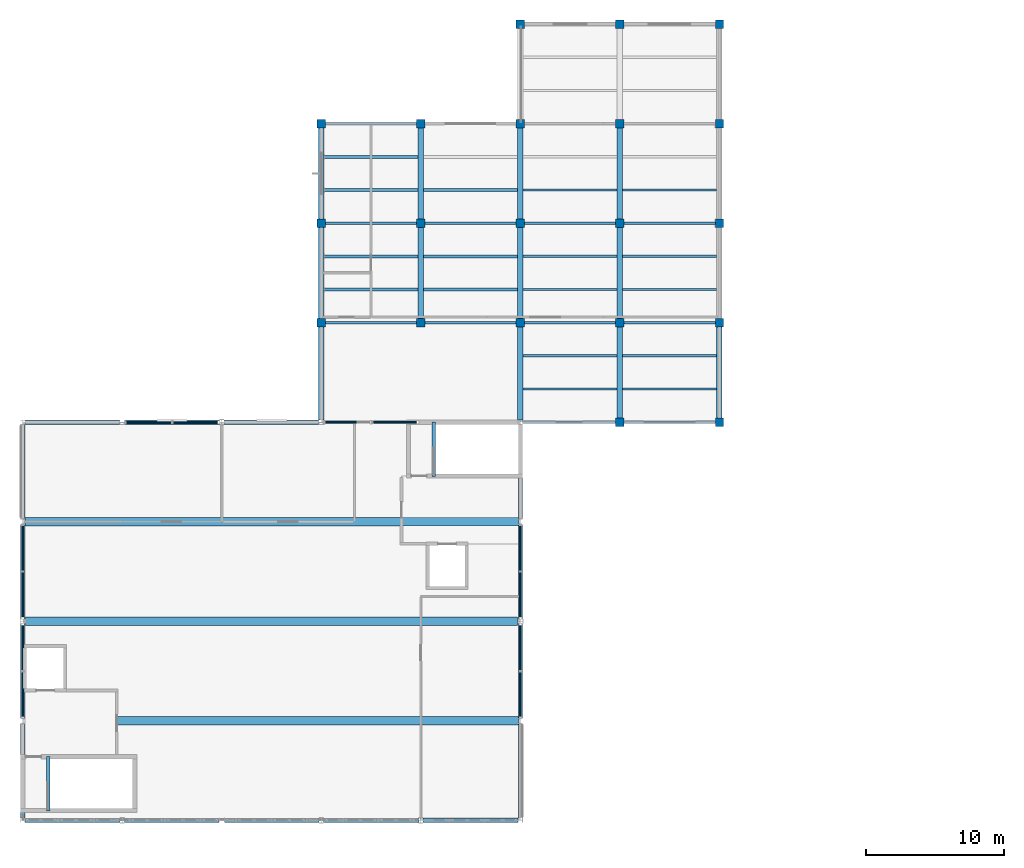
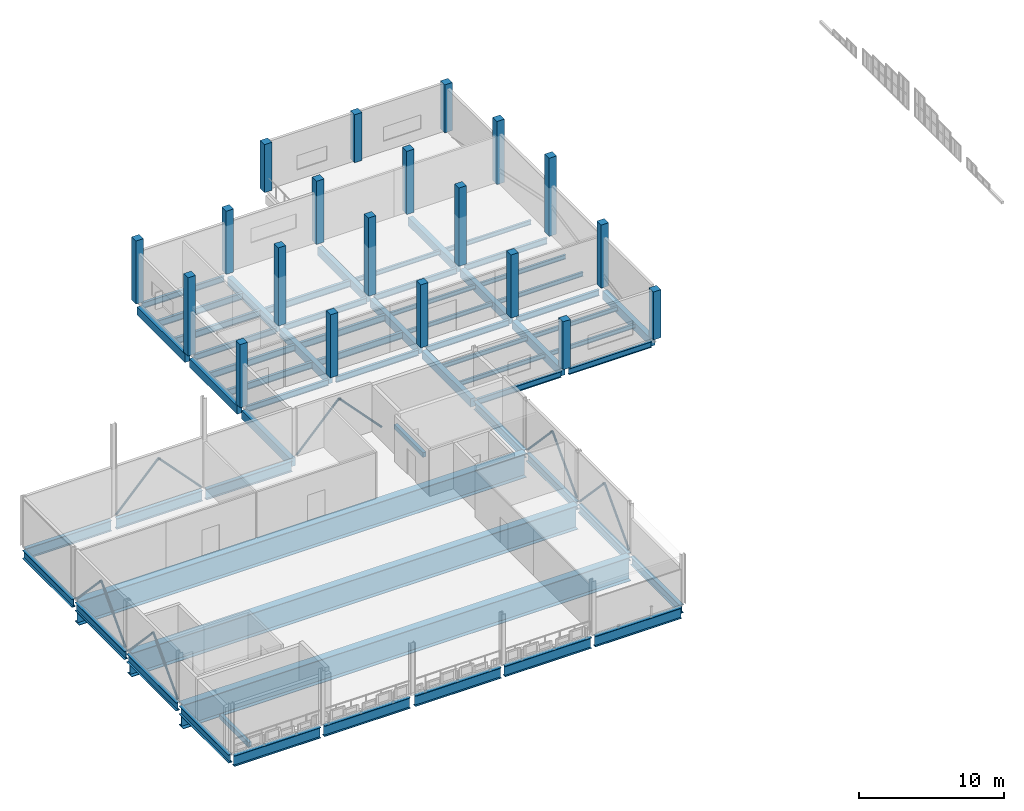
# One storey, part 2 of 20: 61 beams, 20 columns, 12 members.
"""IFC4 building model written with IfcOpenShell, lengths in metres."""

import ifcopenshell
import ifcopenshell.guid

model = None  # the IFC model being written
_history = None  # IfcOwnerHistory: only IFC2X3 demands one
_inside = {}  # id of a spatial element -> (the spatial element, [elements in it])
_under = {}  # id of a project, library or spatial element -> (it, [spatial elements below it])
_declared = {}  # id of a project -> (the project, [libraries it declares])
_typed = {}  # id of a type object -> (the type object, [elements of that type])
_made_of = {}  # id of a material, layer set ... -> (it, [elements and type objects made of it])


def new_model(schema):
    """Start an empty IFC model of exactly this schema.

    Asked for "IFC4X3", IfcOpenShell would pick the latest addendum, in which some entities
    have other attributes; the version numbers below select the first issue.
    IFC2X3 requires an IfcOwnerHistory on every rooted entity: one is made here for all.
    """
    global model, _history
    if schema == "IFC4X3":
        model = ifcopenshell.file(schema_version=(4, 3, 0, 0))
    else:
        model = ifcopenshell.file(schema=schema)
    _inside.clear()
    _under.clear()
    _declared.clear()
    _typed.clear()
    _made_of.clear()
    _history = None
    if model.schema == "IFC2X3":
        org = make("IfcOrganization", Name="unknown")
        user = make(
            "IfcPersonAndOrganization",
            ThePerson=make("IfcPerson", FamilyName="unknown"),
            TheOrganization=org,
        )
        app = make(
            "IfcApplication",
            ApplicationDeveloper=org,
            Version="unknown",
            ApplicationFullName="unknown",
            ApplicationIdentifier="unknown",
        )
        _history = make(
            "IfcOwnerHistory",
            OwningUser=user,
            OwningApplication=app,
            ChangeAction="ADDED",
            CreationDate=0,
        )
    return model


def make(cls, **values):
    """One entity of the class cls with the attributes given. An attribute that is None is left unset."""
    return model.create_entity(
        cls, **{name: value for name, value in values.items() if value is not None}
    )


def rooted(cls, **values):
    """An entity with a GlobalId (a new one), such as an element, a storey or a relation."""
    return make(cls, GlobalId=ifcopenshell.guid.new(), OwnerHistory=_history, **values)


def si_unit(unit_type, name, prefix=None):
    """IfcSIUnit, for example si_unit("LENGTHUNIT", "METRE", prefix="MILLI")."""
    return make("IfcSIUnit", UnitType=unit_type, Prefix=prefix, Name=name)


def assignment(units):
    """IfcUnitAssignment: the units of a project."""
    return None if units is None else make("IfcUnitAssignment", Units=units)


def point(xyz):
    """IfcCartesianPoint."""
    return None if xyz is None else make("IfcCartesianPoint", Coordinates=xyz)


def direction(xyz):
    """IfcDirection."""
    return None if xyz is None else make("IfcDirection", DirectionRatios=xyz)


def frame(location, z_axis=None, x_axis=None):
    """IfcAxis2Placement3D, a coordinate frame: its origin and axes. An axis left out is left unset."""
    return make(
        "IfcAxis2Placement3D",
        Location=point(location),
        Axis=direction(z_axis),
        RefDirection=direction(x_axis),
    )


def frame_2d(location, x_axis=None):
    """IfcAxis2Placement2D, a coordinate frame in the plane: its origin and x axis."""
    return make(
        "IfcAxis2Placement2D", Location=point(location), RefDirection=direction(x_axis)
    )


def origin():
    """The frame at (0, 0, 0) with its axes left unset."""
    return frame((0.0, 0.0, 0.0))


def origin_2d():
    """The frame at (0, 0) in the plane with its x axis left unset."""
    return frame_2d((0.0, 0.0))


def place(relative_to, where):
    """IfcLocalPlacement: puts the frame where relative to a parent placement (None: the world)."""
    return make(
        "IfcLocalPlacement", PlacementRelTo=relative_to, RelativePlacement=where
    )


def context(
    kind, dimensions, precision=None, world=None, true_north=None, identifier=None
):
    """IfcGeometricRepresentationContext, for example the 3D "Model" context."""
    return make(
        "IfcGeometricRepresentationContext",
        ContextIdentifier=identifier,
        ContextType=kind,
        CoordinateSpaceDimension=dimensions,
        Precision=precision,
        WorldCoordinateSystem=world,
        TrueNorth=true_north,
    )


def subcontext(parent, identifier, kind, view, scale=None):
    """IfcGeometricRepresentationSubContext, for example "Body" below "Model"."""
    return make(
        "IfcGeometricRepresentationSubContext",
        ContextIdentifier=identifier,
        ContextType=kind,
        ParentContext=parent,
        TargetScale=scale,
        TargetView=view,
    )


def project(units=None, contexts=None):
    """IfcProject with its units and contexts."""
    return rooted(
        "IfcProject",
        Name="project",
        RepresentationContexts=contexts,
        UnitsInContext=assignment(units),
    )


def spatial(cls, under=None, at=None, **own):
    """A site, building, storey or space (cls), placed at a placement, below another one or the project."""
    s = rooted(cls, ObjectPlacement=at, **own)
    if under is not None:
        _under.setdefault(under.id(), (under, []))[1].append(s)
    return s


def profile(cls, at=None, kind="AREA", **sizes):
    """A parametric profile (cls). Its sizes go by their IFC names, for example OverallWidth=200.0."""
    return make(cls, ProfileType=kind, Position=at, **sizes)


def rectangle(**sizes):
    """IfcRectangleProfileDef."""
    return profile("IfcRectangleProfileDef", **sizes)


def hollow_circle(**sizes):
    """IfcCircleHollowProfileDef."""
    return profile("IfcCircleHollowProfileDef", **sizes)


def i_section(**sizes):
    """IfcIShapeProfileDef."""
    return profile("IfcIShapeProfileDef", **sizes)


def extrude(swept, where, along, depth):
    """IfcExtrudedAreaSolid: the profile swept, set in the frame where, extruded along a direction by depth."""
    return make(
        "IfcExtrudedAreaSolid",
        SweptArea=swept,
        Position=where,
        ExtrudedDirection=direction(along),
        Depth=depth,
    )


def shape(context_of_items, identifier, shape_type, items):
    """IfcShapeRepresentation: the items that make up one representation, for example the "Body"."""
    return make(
        "IfcShapeRepresentation",
        ContextOfItems=context_of_items,
        RepresentationIdentifier=identifier,
        RepresentationType=shape_type,
        Items=items,
    )


def material(Name=None, Category=None):
    """IfcMaterial."""
    return make("IfcMaterial", Name=Name, Category=Category)


def material_profile(
    of_material, cross_section, Name=None, Category=None, Priority=None
):
    """IfcMaterialProfile: a cross section and its material."""
    return make(
        "IfcMaterialProfile",
        Name=Name,
        Material=of_material,
        Profile=cross_section,
        Priority=Priority,
        Category=Category,
    )


def profile_set(profiles, Name=None, composite=None):
    """IfcMaterialProfileSet."""
    return make(
        "IfcMaterialProfileSet",
        Name=Name,
        MaterialProfiles=profiles,
        CompositeProfile=composite,
    )


def made_of(thing, what):
    """Note that an element or type object is made of a material, layer set ...; save() writes the relation."""
    if what is not None:
        _made_of.setdefault(what.id(), (what, []))[1].append(thing)
    return thing


def type_object(cls, material=None, **own):
    """A type object (cls), such as IfcWallType, which elements share."""
    return made_of(rooted(cls, **own), material)


def element(
    cls,
    number,
    at=None,
    inside=None,
    cuts=None,
    type_object=None,
    material=None,
    context=None,
    identifier="Body",
    shape_type=None,
    held_by="IfcProductDefinitionShape",
    body=None,
    shapes=None,
    **own,
):
    """One element of the class cls, such as IfcWall. Its Tag is "e" and its number.

    at: its placement. inside: the storey or other place that contains it. cuts: it is an
    opening in that element (IfcRelVoidsElement). A single representation is given by context,
    identifier, shape_type and body (its items); several are given by shapes. held_by: the class
    of the entity that holds the representations. save() writes the other relations.
    """
    e = rooted(cls, Tag="e%d" % number, ObjectPlacement=at, **own)
    if body is not None:
        shapes = [shape(context, identifier, shape_type, body)]
    if shapes is not None:
        e.Representation = make(held_by, Representations=shapes)
    if inside is not None:
        _inside.setdefault(inside.id(), (inside, []))[1].append(e)
    if cuts is not None:
        rooted(
            "IfcRelVoidsElement", RelatingBuildingElement=cuts, RelatedOpeningElement=e
        )
    if type_object is not None:
        _typed.setdefault(type_object.id(), (type_object, []))[1].append(e)
    return made_of(e, material)


def aggregate(whole, parts):
    """IfcRelAggregates: a whole, such as a stair, and the parts it consists of."""
    return rooted("IfcRelAggregates", RelatingObject=whole, RelatedObjects=parts)


def save(model, path):
    """Write the relations noted so far, then the file.

    IfcRelAggregates (storeys below a building ...), IfcRelContainedInSpatialStructure (elements
    in a storey), IfcRelDefinesByType, IfcRelAssociatesMaterial and IfcRelDeclares: one each for
    every whole, place, type object, material and project.
    """
    for whole, parts in _under.values():
        aggregate(whole, parts)
    for where, things in _inside.values():
        rooted(
            "IfcRelContainedInSpatialStructure",
            RelatedElements=things,
            RelatingStructure=where,
        )
    for kind, things in _typed.values():
        rooted("IfcRelDefinesByType", RelatedObjects=things, RelatingType=kind)
    for what, things in _made_of.values():
        rooted("IfcRelAssociatesMaterial", RelatedObjects=things, RelatingMaterial=what)
    for by, libraries in _declared.values():
        rooted("IfcRelDeclares", RelatingContext=by, RelatedDefinitions=libraries)
    model.write(path)


model = new_model("IFC4")

# Units and contexts
model_context = context("Model", 3, precision=1e-05, world=origin(), true_north=direction((0.0, 1.0)))
body_context = subcontext(model_context, "Body", "Model", "MODEL_VIEW")
ifc_project = project(units=[si_unit("LENGTHUNIT", "METRE"), si_unit("AREAUNIT", "SQUARE_METRE"), si_unit("VOLUMEUNIT", "CUBIC_METRE"), si_unit("PLANEANGLEUNIT", "RADIAN"), si_unit("MASSUNIT", "GRAM", prefix="KILO"), si_unit("THERMODYNAMICTEMPERATUREUNIT", "KELVIN"), si_unit("POWERUNIT", "WATT")], contexts=[model_context])

# Site, building, storey
site_placement = place(None, origin())
site = spatial("IfcSite", under=ifc_project, at=site_placement, CompositionType="ELEMENT")
building_placement = place(site_placement, origin())
building = spatial("IfcBuilding", under=site, at=building_placement, Name="Kaldorven Railside Theatre", CompositionType="ELEMENT")
storey_placement = place(building_placement, frame((0.0, 0.0, 23.10009765625)))
storey = spatial("IfcBuildingStorey", under=building, at=storey_placement, Name="L05", CompositionType="ELEMENT", Elevation=23.10009765625)

# Columns
ifc_material_1 = material(Name="Concrete C40/50", Category="concrete")
ifc_material_profile_1 = material_profile(ifc_material_1, rectangle(XDim=0.60009765625, YDim=0.60009765625, at=origin_2d()), Name="RC 600x600")
ifc_profile_set_1 = profile_set([ifc_material_profile_1], Name="Concrete C40/50")
column_type = type_object("IfcColumnType", Name="COL-RC600", PredefinedType="COLUMN", material=ifc_profile_set_1)
for number, where, z_axis, x_axis, name in (
    (1, (130.39990234375, 112.800048828125, 0.0), (0.0, 0.0, 1.0), (0.0, 1.0, 0.0), "L05 Column CG-L05-130-112"),
    (2, (137.60009765625, 112.800048828125, 0.0), (0.0, 0.0, 1.0), (1.0, 0.0, 0.0), "L05 Column CG-L05-137-112"),
):
    element("IfcColumn", number, at=place(storey_placement, frame(where, z_axis=z_axis, x_axis=x_axis)), inside=storey, type_object=column_type, Name=name, PredefinedType="COLUMN", context=body_context, shape_type="SweptSolid", body=[
        extrude(rectangle(XDim=0.60009765625, YDim=0.60009765625, at=origin_2d()), origin(), (0.0, 0.0, 1.0), 4.04638671875),
    ])
for number, where, z_axis, x_axis, name in (
    (3, (108.800048828125, 120.0, 0.0), (0.0, 0.0, 1.0), (1.0, 0.0, 0.0), "L05 Column CG-L05-108-120"),
    (4, (116.0, 120.0, 0.0), (0.0, 0.0, 1.0), (1.0, 0.0, 0.0), "L05 Column CG-L05-116-120"),
    (5, (123.199951171875, 120.0, 0.0), (0.0, 0.0, 1.0), (0.0, 1.0, 0.0), "L05 Column CG-L05-123-120"),
    (6, (130.39990234375, 120.0, 0.0), (0.0, 0.0, 1.0), (1.0, 0.0, 0.0), "L05 Column CG-L05-130-120"),
    (7, (137.60009765625, 120.0, 0.0), (0.0, 0.0, 1.0), (0.0, 1.0, 0.0), "L05 Column CG-L05-137-120"),
):
    element("IfcColumn", number, at=place(storey_placement, frame(where, z_axis=z_axis, x_axis=x_axis)), inside=storey, type_object=column_type, Name=name, PredefinedType="COLUMN", context=body_context, shape_type="SweptSolid", body=[
        extrude(rectangle(XDim=0.60009765625, YDim=0.60009765625, at=origin_2d()), origin(), (0.0, 0.0, 1.0), 5.3212890625),
    ])
for number, where, z_axis, x_axis, name in (
    (8, (108.800048828125, 127.199951171875, 0.0), (0.0, 0.0, 1.0), (1.0, 0.0, 0.0), "L05 Column CG-L05-108-127"),
    (9, (116.0, 127.199951171875, 0.0), (0.0, 0.0, 1.0), (0.0, 1.0, 0.0), "L05 Column CG-L05-116-127"),
    (10, (123.199951171875, 127.199951171875, 0.0), (0.0, 0.0, 1.0), (1.0, 0.0, 0.0), "L05 Column CG-L05-123-127"),
    (11, (130.39990234375, 127.199951171875, 0.0), (0.0, 0.0, 1.0), (0.0, 1.0, 0.0), "L05 Column CG-L05-130-127"),
    (12, (137.60009765625, 127.199951171875, 0.0), (0.0, 0.0, 1.0), (1.0, 0.0, 0.0), "L05 Column CG-L05-137-127"),
):
    element("IfcColumn", number, at=place(storey_placement, frame(where, z_axis=z_axis, x_axis=x_axis)), inside=storey, type_object=column_type, Name=name, PredefinedType="COLUMN", context=body_context, shape_type="SweptSolid", body=[
        extrude(rectangle(XDim=0.60009765625, YDim=0.60009765625, at=origin_2d()), origin(), (0.0, 0.0, 1.0), 6.59619140625),
    ])
for number, where, z_axis, x_axis, name in (
    (13, (108.800048828125, 134.39990234375, 0.0), (0.0, 0.0, 1.0), (0.0, 1.0, 0.0), "L05 Column CG-L05-108-134"),
    (14, (116.0, 134.39990234375, 0.0), (0.0, 0.0, 1.0), (1.0, 0.0, 0.0), "L05 Column CG-L05-116-134"),
    (15, (123.199951171875, 134.39990234375, 0.0), (0.0, 0.0, 1.0), (0.0, 1.0, 0.0), "L05 Column CG-L05-123-134"),
    (16, (130.39990234375, 134.39990234375, 0.0), (0.0, 0.0, 1.0), (1.0, 0.0, 0.0), "L05 Column CG-L05-130-134"),
    (17, (137.60009765625, 134.39990234375, 0.0), (0.0, 0.0, 1.0), (1.0, 0.0, 0.0), "L05 Column CG-L05-137-134"),
):
    element("IfcColumn", number, at=place(storey_placement, frame(where, z_axis=z_axis, x_axis=x_axis)), inside=storey, type_object=column_type, Name=name, PredefinedType="COLUMN", context=body_context, shape_type="SweptSolid", body=[
        extrude(rectangle(XDim=0.60009765625, YDim=0.60009765625, at=origin_2d()), origin(), (0.0, 0.0, 1.0), 5.326416015625),
    ])
for number, where, z_axis, x_axis, name in (
    (18, (123.199951171875, 141.60009765625, 0.0), (0.0, 0.0, 1.0), (1.0, 0.0, 0.0), "L05 Column CG-L05-123-141"),
    (19, (130.39990234375, 141.60009765625, 0.0), (0.0, 0.0, 1.0), (1.0, 0.0, 0.0), "L05 Column CG-L05-130-141"),
    (20, (137.60009765625, 141.60009765625, 0.0), (0.0, 0.0, 1.0), (0.0, 1.0, 0.0), "L05 Column CG-L05-137-141"),
):
    element("IfcColumn", number, at=place(storey_placement, frame(where, z_axis=z_axis, x_axis=x_axis)), inside=storey, type_object=column_type, Name=name, PredefinedType="COLUMN", context=body_context, shape_type="SweptSolid", body=[
        extrude(rectangle(XDim=0.60009765625, YDim=0.60009765625, at=origin_2d()), origin(), (0.0, 0.0, 1.0), 4.04638671875),
    ])

# Beams
ifc_material_2 = material(Name="Steel S355", Category="steel")
ifc_material_profile_2 = material_profile(ifc_material_2, i_section(OverallWidth=0.300048828125, OverallDepth=0.699951171875, WebThickness=0.01708984375, FlangeThickness=0.031982421875, at=origin_2d()), Name="HEB 700")
ifc_profile_set_2 = profile_set([ifc_material_profile_2], Name="Steel S355")
beam_type_1 = type_object("IfcBeamType", Name="BM-HEB700", PredefinedType="BEAM", material=ifc_profile_set_2)
for number, where, z_axis, x_axis, name in (
    (21, (87.199951171875, 84.154541015625, -0.570068359375), (0.0, 1.0, 0.0), (-1.0, 0.0, 0.0), "L05 Girder BGY-L05-087-084-72"),
    (22, (123.199951171875, 84.154541015625, -0.570068359375), (0.0, 1.0, 0.0), (-1.0, 0.0, 0.0), "L05 Girder BGY-L05-123-084-72"),
):
    element("IfcBeam", number, at=place(storey_placement, frame(where, z_axis=z_axis, x_axis=x_axis)), inside=storey, type_object=beam_type_1, Name=name, PredefinedType="BEAM", context=body_context, shape_type="SweptSolid", body=[
        extrude(i_section(OverallWidth=0.300048828125, OverallDepth=0.699951171875, WebThickness=0.01708984375, FlangeThickness=0.031982421875, at=origin_2d()), origin(), (0.0, 0.0, 1.0), 6.845458984375),
    ])
for number, where, z_axis, x_axis, name in (
    (23, (87.199951171875, 91.39990234375, -0.570068359375), (0.0, 1.0, 0.0), (-1.0, 0.0, 0.0), "L05 Girder BGY-L05-087-091-72"),
    (24, (123.199951171875, 91.39990234375, -0.570068359375), (0.0, 1.0, 0.0), (-1.0, 0.0, 0.0), "L05 Girder BGY-L05-123-091-72"),
):
    element("IfcBeam", number, at=place(storey_placement, frame(where, z_axis=z_axis, x_axis=x_axis)), inside=storey, type_object=beam_type_1, Name=name, PredefinedType="BEAM", context=body_context, shape_type="SweptSolid", body=[
        extrude(i_section(OverallWidth=0.300048828125, OverallDepth=0.699951171875, WebThickness=0.01708984375, FlangeThickness=0.031982421875, at=origin_2d()), origin(), (0.0, 0.0, 1.0), 6.85009765625),
    ])
for number, where, z_axis, x_axis, name in (
    (25, (87.199951171875, 98.550048828125, -0.570068359375), (0.0, 1.0, 0.0), (-1.0, 0.0, 0.0), "L05 Girder BGY-L05-087-098-72"),
    (26, (123.199951171875, 98.550048828125, -0.570068359375), (0.0, 1.0, 0.0), (-1.0, 0.0, 0.0), "L05 Girder BGY-L05-123-098-72"),
):
    element("IfcBeam", number, at=place(storey_placement, frame(where, z_axis=z_axis, x_axis=x_axis)), inside=storey, type_object=beam_type_1, Name=name, PredefinedType="BEAM", context=body_context, shape_type="SweptSolid", body=[
        extrude(i_section(OverallWidth=0.300048828125, OverallDepth=0.699951171875, WebThickness=0.01708984375, FlangeThickness=0.031982421875, at=origin_2d()), origin(), (0.0, 0.0, 1.0), 6.849853515625),
    ])
for number, where, z_axis, x_axis, name in (
    (27, (87.199951171875, 105.800048828125, -0.570068359375), (0.0, 1.0, 0.0), (-1.0, 0.0, 0.0), "L05 Girder BGY-L05-087-105-72"),
    (28, (123.199951171875, 105.800048828125, -0.60009765625), (0.0, 1.0, 0.0), (-1.0, 0.0, 0.0), "L05 Girder BGY-L05-123-105-72"),
):
    element("IfcBeam", number, at=place(storey_placement, frame(where, z_axis=z_axis, x_axis=x_axis)), inside=storey, type_object=beam_type_1, Name=name, PredefinedType="BEAM", context=body_context, shape_type="SweptSolid", body=[
        extrude(i_section(OverallWidth=0.300048828125, OverallDepth=0.699951171875, WebThickness=0.01708984375, FlangeThickness=0.031982421875, at=origin_2d()), origin(), (0.0, 0.0, 1.0), 6.839599609375),
    ])
ifc_material_profile_3 = material_profile(ifc_material_2, i_section(OverallWidth=0.300048828125, OverallDepth=0.89990234375, WebThickness=0.0185546875, FlangeThickness=0.034912109375, at=origin_2d()), Name="HEB 900")
ifc_profile_set_3 = profile_set([ifc_material_profile_3], Name="Steel S355")
beam_type_2 = type_object("IfcBeamType", Name="BM-HEB900", PredefinedType="USERDEFINED", material=ifc_profile_set_3)
beam_1_placement = place(storey_placement, frame((87.3603515625, 84.0, -0.670166015625), z_axis=(1.0, 0.0, 0.0), x_axis=(0.0, 1.0, 0.0)))
element("IfcBeam", 29, at=beam_1_placement, inside=storey, type_object=beam_type_2, Name="L05 Girder BGX-L05-087-084", ObjectType="ROOF TRUSS", PredefinedType="USERDEFINED", context=body_context, shape_type="SweptSolid", body=[
    extrude(i_section(OverallWidth=0.300048828125, OverallDepth=0.89990234375, WebThickness=0.0185546875, FlangeThickness=0.034912109375, at=origin_2d()), origin(), (0.0, 0.0, 1.0), 6.8896484375),
])
for number, where, z_axis, x_axis, name in (
    (30, (94.550048828125, 84.0, -0.670166015625), (1.0, 0.0, 0.0), (0.0, 1.0, 0.0), "L05 Girder BGX-L05-094-084"),
    (31, (101.800048828125, 84.0, -0.670166015625), (1.0, 0.0, 0.0), (0.0, 1.0, 0.0), "L05 Girder BGX-L05-101-084"),
):
    element("IfcBeam", number, at=place(storey_placement, frame(where, z_axis=z_axis, x_axis=x_axis)), inside=storey, type_object=beam_type_2, Name=name, ObjectType="ROOF TRUSS", PredefinedType="USERDEFINED", context=body_context, shape_type="SweptSolid", body=[
        extrude(i_section(OverallWidth=0.300048828125, OverallDepth=0.89990234375, WebThickness=0.0185546875, FlangeThickness=0.034912109375, at=origin_2d()), origin(), (0.0, 0.0, 1.0), 6.849853515625),
    ])
beam_2_placement = place(storey_placement, frame((108.949951171875, 84.0, -0.670166015625), z_axis=(1.0, 0.0, 0.0), x_axis=(0.0, 1.0, 0.0)))
element("IfcBeam", 32, at=beam_2_placement, inside=storey, type_object=beam_type_2, Name="L05 Girder BGX-L05-108-084", ObjectType="ROOF TRUSS", PredefinedType="USERDEFINED", context=body_context, shape_type="SweptSolid", body=[
    extrude(i_section(OverallWidth=0.300048828125, OverallDepth=0.89990234375, WebThickness=0.0185546875, FlangeThickness=0.034912109375, at=origin_2d()), origin(), (0.0, 0.0, 1.0), 6.900146484375),
])
beam_3_placement = place(storey_placement, frame((116.14990234375, 84.0, -0.670166015625), z_axis=(1.0, 0.0, 0.0), x_axis=(0.0, 1.0, 0.0)))
element("IfcBeam", 33, at=beam_3_placement, inside=storey, type_object=beam_type_2, Name="L05 Girder BGX-L05-116-084", ObjectType="ROOF TRUSS", PredefinedType="USERDEFINED", context=body_context, shape_type="SweptSolid", body=[
    extrude(i_section(OverallWidth=0.300048828125, OverallDepth=0.89990234375, WebThickness=0.0185546875, FlangeThickness=0.034912109375, at=origin_2d()), origin(), (0.0, 0.0, 1.0), 6.889892578125),
])
beam_4_placement = place(storey_placement, frame((87.3544921875, 112.800048828125, -0.670166015625), z_axis=(1.0, 0.0, 0.0), x_axis=(0.0, 1.0, 0.0)))
element("IfcBeam", 34, at=beam_4_placement, inside=storey, type_object=beam_type_2, Name="L05 Girder BGX-L05-087-112", ObjectType="ROOF TRUSS", PredefinedType="USERDEFINED", context=body_context, shape_type="SweptSolid", body=[
    extrude(i_section(OverallWidth=0.300048828125, OverallDepth=0.89990234375, WebThickness=0.0185546875, FlangeThickness=0.034912109375, at=origin_2d()), origin(), (0.0, 0.0, 1.0), 6.845458984375),
])
beam_5_placement = place(storey_placement, frame((94.60009765625, 112.800048828125, -0.670166015625), z_axis=(1.0, 0.0, 0.0), x_axis=(0.0, 1.0, 0.0)))
element("IfcBeam", 35, at=beam_5_placement, inside=storey, type_object=beam_type_2, Name="L05 Girder BGX-L05-094-112", ObjectType="ROOF TRUSS", PredefinedType="USERDEFINED", context=body_context, shape_type="SweptSolid", body=[
    extrude(i_section(OverallWidth=0.300048828125, OverallDepth=0.89990234375, WebThickness=0.0185546875, FlangeThickness=0.034912109375, at=origin_2d()), origin(), (0.0, 0.0, 1.0), 6.849853515625),
])
beam_6_placement = place(storey_placement, frame((101.75, 112.800048828125, -0.7001953125), z_axis=(1.0, 0.0, 0.0), x_axis=(0.0, 1.0, 0.0)))
element("IfcBeam", 36, at=beam_6_placement, inside=storey, type_object=beam_type_2, Name="L05 Girder BGX-L05-101-112", ObjectType="ROOF TRUSS", PredefinedType="USERDEFINED", context=body_context, shape_type="SweptSolid", body=[
    extrude(i_section(OverallWidth=0.300048828125, OverallDepth=0.89990234375, WebThickness=0.0185546875, FlangeThickness=0.034912109375, at=origin_2d()), origin(), (0.0, 0.0, 1.0), 6.85009765625),
])
ifc_material_profile_4 = material_profile(ifc_material_2, i_section(OverallWidth=0.169921875, OverallDepth=0.360107421875, WebThickness=0.008056640625, FlangeThickness=0.0126953125, at=origin_2d()), Name="IPE 360")
ifc_profile_set_4 = profile_set([ifc_material_profile_4], Name="Steel S355")
beam_type_3 = type_object("IfcBeamType", Name="BM-IPE360", PredefinedType="JOIST", material=ifc_profile_set_4)
for number, where, z_axis, x_axis, name in (
    (37, (123.39990234375, 115.199951171875, -0.43017578125), (1.0, 0.0, 0.0), (0.0, 1.0, 0.0), "L05 Secondary Floor Joist JG-L05-123-1152"),
    (38, (123.39990234375, 117.60009765625, -0.43017578125), (1.0, 0.0, 0.0), (0.0, 1.0, 0.0), "L05 Secondary Floor Joist JG-L05-123-1176"),
):
    element("IfcBeam", number, at=place(storey_placement, frame(where, z_axis=z_axis, x_axis=x_axis)), inside=storey, type_object=beam_type_3, Name=name, PredefinedType="JOIST", context=body_context, shape_type="SweptSolid", body=[
        extrude(i_section(OverallWidth=0.169921875, OverallDepth=0.360107421875, WebThickness=0.008056640625, FlangeThickness=0.0126953125, at=origin_2d()), origin(), (0.0, 0.0, 1.0), 6.800048828125),
    ])
for number, where, z_axis, x_axis, name in (
    (39, (130.60009765625, 115.199951171875, -0.43017578125), (1.0, 0.0, 0.0), (0.0, 1.0, 0.0), "L05 Secondary Floor Joist JG-L05-130-1152"),
    (40, (130.60009765625, 117.60009765625, -0.43017578125), (1.0, 0.0, 0.0), (0.0, 1.0, 0.0), "L05 Secondary Floor Joist JG-L05-130-1176"),
):
    element("IfcBeam", number, at=place(storey_placement, frame(where, z_axis=z_axis, x_axis=x_axis)), inside=storey, type_object=beam_type_3, Name=name, PredefinedType="JOIST", context=body_context, shape_type="SweptSolid", body=[
        extrude(i_section(OverallWidth=0.169921875, OverallDepth=0.360107421875, WebThickness=0.008056640625, FlangeThickness=0.0126953125, at=origin_2d()), origin(), (0.0, 0.0, 1.0), 6.7998046875),
    ])
for number, where, z_axis, x_axis, name in (
    (41, (123.39990234375, 122.39990234375, -0.43017578125), (1.0, 0.0, 0.0), (0.0, 1.0, 0.0), "L05 Secondary Floor Joist JG-L05-123-1224"),
    (42, (123.39990234375, 124.800048828125, -0.43017578125), (1.0, 0.0, 0.0), (0.0, 1.0, 0.0), "L05 Secondary Floor Joist JG-L05-123-1248"),
):
    element("IfcBeam", number, at=place(storey_placement, frame(where, z_axis=z_axis, x_axis=x_axis)), inside=storey, type_object=beam_type_3, Name=name, PredefinedType="JOIST", context=body_context, shape_type="SweptSolid", body=[
        extrude(i_section(OverallWidth=0.169921875, OverallDepth=0.360107421875, WebThickness=0.008056640625, FlangeThickness=0.0126953125, at=origin_2d()), origin(), (0.0, 0.0, 1.0), 6.800048828125),
    ])
for number, where, z_axis, x_axis, name in (
    (43, (130.60009765625, 122.39990234375, -0.43017578125), (1.0, 0.0, 0.0), (0.0, 1.0, 0.0), "L05 Secondary Floor Joist JG-L05-130-1224"),
    (44, (130.60009765625, 124.800048828125, -0.43017578125), (1.0, 0.0, 0.0), (0.0, 1.0, 0.0), "L05 Secondary Floor Joist JG-L05-130-1248"),
):
    element("IfcBeam", number, at=place(storey_placement, frame(where, z_axis=z_axis, x_axis=x_axis)), inside=storey, type_object=beam_type_3, Name=name, PredefinedType="JOIST", context=body_context, shape_type="SweptSolid", body=[
        extrude(i_section(OverallWidth=0.169921875, OverallDepth=0.360107421875, WebThickness=0.008056640625, FlangeThickness=0.0126953125, at=origin_2d()), origin(), (0.0, 0.0, 1.0), 6.7998046875),
    ])
beam_7_placement = place(storey_placement, frame((123.39990234375, 129.60009765625, -0.43017578125), z_axis=(1.0, 0.0, 0.0), x_axis=(0.0, 1.0, 0.0)))
element("IfcBeam", 45, at=beam_7_placement, inside=storey, type_object=beam_type_3, Name="L05 Secondary Floor Joist JG-L05-123-1296", PredefinedType="JOIST", context=body_context, shape_type="SweptSolid", body=[
    extrude(i_section(OverallWidth=0.169921875, OverallDepth=0.360107421875, WebThickness=0.008056640625, FlangeThickness=0.0126953125, at=origin_2d()), origin(), (0.0, 0.0, 1.0), 6.800048828125),
])
beam_8_placement = place(storey_placement, frame((130.60009765625, 129.60009765625, -0.43017578125), z_axis=(1.0, 0.0, 0.0), x_axis=(0.0, 1.0, 0.0)))
element("IfcBeam", 46, at=beam_8_placement, inside=storey, type_object=beam_type_3, Name="L05 Secondary Floor Joist JG-L05-130-1296", PredefinedType="JOIST", context=body_context, shape_type="SweptSolid", body=[
    extrude(i_section(OverallWidth=0.169921875, OverallDepth=0.360107421875, WebThickness=0.008056640625, FlangeThickness=0.0126953125, at=origin_2d()), origin(), (0.0, 0.0, 1.0), 6.7998046875),
])
ifc_material_profile_5 = material_profile(ifc_material_2, i_section(OverallWidth=0.199951171875, OverallDepth=0.5, WebThickness=0.01025390625, FlangeThickness=0.01611328125, at=origin_2d()), Name="IPE 500")
ifc_profile_set_5 = profile_set([ifc_material_profile_5], Name="Steel S355")
beam_type_4 = type_object("IfcBeamType", Name="BM-IPE500", PredefinedType="BEAM", material=ifc_profile_set_5)
beam_9_placement = place(storey_placement, frame((123.3544921875, 112.800048828125, -0.5), z_axis=(1.0, 0.0, 0.0), x_axis=(0.0, 1.0, 0.0)))
element("IfcBeam", 47, at=beam_9_placement, inside=storey, type_object=beam_type_4, Name="L05 Girder BGX-L05-123-112", PredefinedType="BEAM", context=body_context, shape_type="SweptSolid", body=[
    extrude(i_section(OverallWidth=0.199951171875, OverallDepth=0.5, WebThickness=0.01025390625, FlangeThickness=0.01611328125, at=origin_2d()), origin(), (0.0, 0.0, 1.0), 6.74560546875),
])
beam_10_placement = place(storey_placement, frame((130.699951171875, 112.800048828125, -0.5), z_axis=(1.0, 0.0, 0.0), x_axis=(0.0, 1.0, 0.0)))
element("IfcBeam", 48, at=beam_10_placement, inside=storey, type_object=beam_type_4, Name="L05 Girder BGX-L05-130-112", PredefinedType="BEAM", context=body_context, shape_type="SweptSolid", body=[
    extrude(i_section(OverallWidth=0.199951171875, OverallDepth=0.5, WebThickness=0.01025390625, FlangeThickness=0.01611328125, at=origin_2d()), origin(), (0.0, 0.0, 1.0), 6.60009765625),
])
for number, where, z_axis, x_axis, name in (
    (49, (109.10009765625, 120.0, -0.5), (1.0, 0.0, 0.0), (0.0, 1.0, 0.0), "L05 Girder BGX-L05-108-120"),
    (50, (116.300048828125, 120.0, -0.5), (1.0, 0.0, 0.0), (0.0, 1.0, 0.0), "L05 Girder BGX-L05-116-120"),
):
    element("IfcBeam", number, at=place(storey_placement, frame(where, z_axis=z_axis, x_axis=x_axis)), inside=storey, type_object=beam_type_4, Name=name, PredefinedType="BEAM", context=body_context, shape_type="SweptSolid", body=[
        extrude(i_section(OverallWidth=0.199951171875, OverallDepth=0.5, WebThickness=0.01025390625, FlangeThickness=0.01611328125, at=origin_2d()), origin(), (0.0, 0.0, 1.0), 6.599853515625),
    ])
for number, where, z_axis, x_axis, name in (
    (51, (123.5, 120.0, -0.5), (1.0, 0.0, 0.0), (0.0, 1.0, 0.0), "L05 Girder BGX-L05-123-120"),
    (52, (130.699951171875, 120.0, -0.5), (1.0, 0.0, 0.0), (0.0, 1.0, 0.0), "L05 Girder BGX-L05-130-120"),
):
    element("IfcBeam", number, at=place(storey_placement, frame(where, z_axis=z_axis, x_axis=x_axis)), inside=storey, type_object=beam_type_4, Name=name, PredefinedType="BEAM", context=body_context, shape_type="SweptSolid", body=[
        extrude(i_section(OverallWidth=0.199951171875, OverallDepth=0.5, WebThickness=0.01025390625, FlangeThickness=0.01611328125, at=origin_2d()), origin(), (0.0, 0.0, 1.0), 6.60009765625),
    ])
for number, where, z_axis, x_axis, name in (
    (53, (109.10009765625, 127.199951171875, -0.5), (1.0, 0.0, 0.0), (0.0, 1.0, 0.0), "L05 Girder BGX-L05-108-127"),
    (54, (116.300048828125, 127.199951171875, -0.5), (1.0, 0.0, 0.0), (0.0, 1.0, 0.0), "L05 Girder BGX-L05-116-127"),
):
    element("IfcBeam", number, at=place(storey_placement, frame(where, z_axis=z_axis, x_axis=x_axis)), inside=storey, type_object=beam_type_4, Name=name, PredefinedType="BEAM", context=body_context, shape_type="SweptSolid", body=[
        extrude(i_section(OverallWidth=0.199951171875, OverallDepth=0.5, WebThickness=0.01025390625, FlangeThickness=0.01611328125, at=origin_2d()), origin(), (0.0, 0.0, 1.0), 6.599853515625),
    ])
for number, where, z_axis, x_axis, name in (
    (55, (123.5, 127.199951171875, -0.5), (1.0, 0.0, 0.0), (0.0, 1.0, 0.0), "L05 Girder BGX-L05-123-127"),
    (56, (130.699951171875, 127.199951171875, -0.5), (1.0, 0.0, 0.0), (0.0, 1.0, 0.0), "L05 Girder BGX-L05-130-127"),
):
    element("IfcBeam", number, at=place(storey_placement, frame(where, z_axis=z_axis, x_axis=x_axis)), inside=storey, type_object=beam_type_4, Name=name, PredefinedType="BEAM", context=body_context, shape_type="SweptSolid", body=[
        extrude(i_section(OverallWidth=0.199951171875, OverallDepth=0.5, WebThickness=0.01025390625, FlangeThickness=0.01611328125, at=origin_2d()), origin(), (0.0, 0.0, 1.0), 6.60009765625),
    ])
beam_11_placement = place(storey_placement, frame((109.10009765625, 134.39990234375, -0.5), z_axis=(1.0, 0.0, 0.0), x_axis=(0.0, 1.0, 0.0)))
element("IfcBeam", 57, at=beam_11_placement, inside=storey, type_object=beam_type_4, Name="L05 Girder BGX-L05-108-134", PredefinedType="BEAM", context=body_context, shape_type="SweptSolid", body=[
    extrude(i_section(OverallWidth=0.199951171875, OverallDepth=0.5, WebThickness=0.01025390625, FlangeThickness=0.01611328125, at=origin_2d()), origin(), (0.0, 0.0, 1.0), 6.599853515625),
])
ifc_material_profile_6 = material_profile(ifc_material_2, i_section(OverallWidth=0.2099609375, OverallDepth=0.550048828125, WebThickness=0.010986328125, FlangeThickness=0.01708984375, at=origin_2d()), Name="IPE 550")
ifc_profile_set_6 = profile_set([ifc_material_profile_6], Name="Steel S355")
beam_type_5 = type_object("IfcBeamType", Name="BM-IPE550", PredefinedType="USERDEFINED", material=ifc_profile_set_6)
for number, where, z_axis, x_axis, name in (
    (58, (109.0, 122.39990234375, -0.525146484375), (1.0, 0.0, 0.0), (0.0, 1.0, 0.0), "L05 Secondary Floor Joist JG-L05-108-1224"),
    (59, (109.0, 124.800048828125, -0.525146484375), (1.0, 0.0, 0.0), (0.0, 1.0, 0.0), "L05 Secondary Floor Joist JG-L05-108-1248"),
    (60, (116.199951171875, 122.39990234375, -0.525146484375), (1.0, 0.0, 0.0), (0.0, 1.0, 0.0), "L05 Secondary Floor Joist JG-L05-116-1224"),
    (61, (116.199951171875, 124.800048828125, -0.525146484375), (1.0, 0.0, 0.0), (0.0, 1.0, 0.0), "L05 Secondary Floor Joist JG-L05-116-1248"),
    (62, (109.0, 129.60009765625, -0.525146484375), (1.0, 0.0, 0.0), (0.0, 1.0, 0.0), "L05 Secondary Floor Joist JG-L05-108-1296"),
    (63, (109.0, 132.0, -0.525146484375), (1.0, 0.0, 0.0), (0.0, 1.0, 0.0), "L05 Secondary Floor Joist JG-L05-108-1320"),
    (64, (116.199951171875, 129.60009765625, -0.525146484375), (1.0, 0.0, 0.0), (0.0, 1.0, 0.0), "L05 Secondary Floor Joist JG-L05-116-1296"),
):
    element("IfcBeam", number, at=place(storey_placement, frame(where, z_axis=z_axis, x_axis=x_axis)), inside=storey, type_object=beam_type_5, Name=name, ObjectType="RAKER BEAM", PredefinedType="USERDEFINED", context=body_context, shape_type="SweptSolid", body=[
        extrude(i_section(OverallWidth=0.2099609375, OverallDepth=0.550048828125, WebThickness=0.010986328125, FlangeThickness=0.01708984375, at=origin_2d()), origin(), (0.0, 0.0, 1.0), 6.800048828125),
    ])
ifc_material_profile_7 = material_profile(ifc_material_2, i_section(OverallWidth=0.60009765625, OverallDepth=2.0, WebThickness=0.02490234375, FlangeThickness=0.0400390625, at=origin_2d()), Name="PG 2000x600x40x25")
ifc_profile_set_7 = profile_set([ifc_material_profile_7], Name="Steel S355")
beam_type_6 = type_object("IfcBeamType", Name="BM-PG2000", PredefinedType="BEAM", material=ifc_profile_set_7)
beam_12_placement = place(storey_placement, frame((87.35009765625, 91.199951171875, -1.22021484375), z_axis=(1.0, 0.0, 0.0), x_axis=(0.0, 1.0, 0.0)))
element("IfcBeam", 65, at=beam_12_placement, inside=storey, type_object=beam_type_6, Name="Fly-Tower Gridiron Welded Plate Girder GTG-1464", PredefinedType="BEAM", context=body_context, shape_type="SweptSolid", body=[
    extrude(i_section(OverallWidth=0.60009765625, OverallDepth=2.0, WebThickness=0.02490234375, FlangeThickness=0.0400390625, at=origin_2d()), origin(), (0.0, 0.0, 1.0), 35.699951171875),
])
beam_13_placement = place(storey_placement, frame((87.39990234375, 98.39990234375, -1.22021484375), z_axis=(1.0, 0.0, 0.0), x_axis=(0.0, 1.0, 0.0)))
element("IfcBeam", 66, at=beam_13_placement, inside=storey, type_object=beam_type_6, Name="Fly-Tower Gridiron Welded Plate Girder GTG-1465", PredefinedType="BEAM", context=body_context, shape_type="SweptSolid", body=[
    extrude(i_section(OverallWidth=0.60009765625, OverallDepth=2.0, WebThickness=0.02490234375, FlangeThickness=0.0400390625, at=origin_2d()), origin(), (0.0, 0.0, 1.0), 35.60009765625),
])
beam_14_placement = place(storey_placement, frame((87.35009765625, 105.60009765625, -1.22021484375), z_axis=(1.0, 0.0, 0.0), x_axis=(0.0, 1.0, 0.0)))
element("IfcBeam", 67, at=beam_14_placement, inside=storey, type_object=beam_type_6, Name="Fly-Tower Gridiron Welded Plate Girder GTG-1466", PredefinedType="BEAM", context=body_context, shape_type="SweptSolid", body=[
    extrude(i_section(OverallWidth=0.60009765625, OverallDepth=2.0, WebThickness=0.02490234375, FlangeThickness=0.0400390625, at=origin_2d()), origin(), (0.0, 0.0, 1.0), 35.699951171875),
])
ifc_material_profile_8 = material_profile(ifc_material_1, rectangle(XDim=0.25, YDim=0.39990234375, at=origin_2d()), Name="RC 250x400")
ifc_profile_set_8 = profile_set([ifc_material_profile_8], Name="Concrete C40/50")
beam_type_7 = type_object("IfcBeamType", Name="BM-RC250x400", PredefinedType="LINTEL", material=ifc_profile_set_8)
for number, where, z_axis, x_axis, name in (
    (68, (89.050048828125, 84.669921875, -0.34521484375), (0.0, 1.0, 0.0), (-1.0, 0.0, 0.0), "Stair ST-05 L05 Landing Trimmer Beam"),
    (69, (116.949951171875, 108.8701171875, -0.34521484375), (0.0, 1.0, 0.0), (-1.0, 0.0, 0.0), "Stair ST-06 L05 Landing Trimmer Beam"),
):
    element("IfcBeam", number, at=place(storey_placement, frame(where, z_axis=z_axis, x_axis=x_axis)), inside=storey, type_object=beam_type_7, Name=name, PredefinedType="LINTEL", context=body_context, shape_type="SweptSolid", body=[
        extrude(rectangle(XDim=0.25, YDim=0.39990234375, at=origin_2d()), origin(), (0.0, 0.0, 1.0), 3.9599609375),
    ])
ifc_material_profile_9 = material_profile(ifc_material_1, rectangle(XDim=0.39990234375, YDim=0.699951171875, at=origin_2d()), Name="RC 400x700")
ifc_profile_set_9 = profile_set([ifc_material_profile_9], Name="Concrete C40/50")
beam_type_8 = type_object("IfcBeamType", Name="BM-RC400x700", PredefinedType="BEAM", material=ifc_profile_set_9)
beam_15_placement = place(storey_placement, frame((108.800048828125, 112.949951171875, -0.60009765625), z_axis=(0.0, 1.0, 0.0), x_axis=(-1.0, 0.0, 0.0)))
element("IfcBeam", 70, at=beam_15_placement, inside=storey, type_object=beam_type_8, Name="L05 Girder BGY-L05-108-112-72", PredefinedType="BEAM", context=body_context, shape_type="SweptSolid", body=[
    extrude(rectangle(XDim=0.39990234375, YDim=0.699951171875, at=origin_2d()), origin(), (0.0, 0.0, 1.0), 6.75),
])
beam_16_placement = place(storey_placement, frame((123.199951171875, 112.960205078125, -0.60009765625), z_axis=(0.0, 1.0, 0.0), x_axis=(-1.0, 0.0, 0.0)))
element("IfcBeam", 71, at=beam_16_placement, inside=storey, type_object=beam_type_8, Name="L05 Girder BGY-L05-123-112-72", PredefinedType="BEAM", context=body_context, shape_type="SweptSolid", body=[
    extrude(rectangle(XDim=0.39990234375, YDim=0.699951171875, at=origin_2d()), origin(), (0.0, 0.0, 1.0), 6.73974609375),
])
for number, where, z_axis, x_axis, name in (
    (72, (130.39990234375, 113.10009765625, -0.60009765625), (0.0, 1.0, 0.0), (-1.0, 0.0, 0.0), "L05 Girder BGY-L05-130-112-72"),
    (73, (137.60009765625, 113.10009765625, -0.60009765625), (0.0, 1.0, 0.0), (-1.0, 0.0, 0.0), "L05 Girder BGY-L05-137-112-72"),
    (74, (108.800048828125, 120.300048828125, -0.60009765625), (0.0, 1.0, 0.0), (-1.0, 0.0, 0.0), "L05 Girder BGY-L05-108-120-72"),
    (75, (116.0, 120.300048828125, -0.60009765625), (0.0, 1.0, 0.0), (-1.0, 0.0, 0.0), "L05 Girder BGY-L05-116-120-72"),
    (76, (123.199951171875, 120.300048828125, -0.60009765625), (0.0, 1.0, 0.0), (-1.0, 0.0, 0.0), "L05 Girder BGY-L05-123-120-72"),
    (77, (130.39990234375, 120.300048828125, -0.60009765625), (0.0, 1.0, 0.0), (-1.0, 0.0, 0.0), "L05 Girder BGY-L05-130-120-72"),
):
    element("IfcBeam", number, at=place(storey_placement, frame(where, z_axis=z_axis, x_axis=x_axis)), inside=storey, type_object=beam_type_8, Name=name, PredefinedType="BEAM", context=body_context, shape_type="SweptSolid", body=[
        extrude(rectangle(XDim=0.39990234375, YDim=0.699951171875, at=origin_2d()), origin(), (0.0, 0.0, 1.0), 6.599853515625),
    ])
for number, where, z_axis, x_axis, name in (
    (78, (108.800048828125, 127.5, -0.60009765625), (0.0, 1.0, 0.0), (-1.0, 0.0, 0.0), "L05 Girder BGY-L05-108-127-72"),
    (79, (116.0, 127.5, -0.60009765625), (0.0, 1.0, 0.0), (-1.0, 0.0, 0.0), "L05 Girder BGY-L05-116-127-72"),
    (80, (123.199951171875, 127.5, -0.60009765625), (0.0, 1.0, 0.0), (-1.0, 0.0, 0.0), "L05 Girder BGY-L05-123-127-72"),
    (81, (130.39990234375, 127.5, -0.60009765625), (0.0, 1.0, 0.0), (-1.0, 0.0, 0.0), "L05 Girder BGY-L05-130-127-72"),
):
    element("IfcBeam", number, at=place(storey_placement, frame(where, z_axis=z_axis, x_axis=x_axis)), inside=storey, type_object=beam_type_8, Name=name, PredefinedType="BEAM", context=body_context, shape_type="SweptSolid", body=[
        extrude(rectangle(XDim=0.39990234375, YDim=0.699951171875, at=origin_2d()), origin(), (0.0, 0.0, 1.0), 6.60009765625),
    ])

# Members
ifc_material_profile_10 = material_profile(ifc_material_2, hollow_circle(Radius=0.084228515625, WallThickness=0.008056640625, at=origin_2d()), Name="CHS 168.3x8")
ifc_profile_set_10 = profile_set([ifc_material_profile_10], Name="Steel S355")
member_type = type_object("IfcMemberType", Name="MEM-CHS168", PredefinedType="BRACE", material=ifc_profile_set_10)
for number, where, z_axis, x_axis, name in (
    (82, (87.199951171875, 91.419921875, 0.039794921875), (0.0, 0.6865099554, 0.727120403466), (-1.0, 0.0, 0.0), "Fly-Tower Concentric Chevron Brace BR-049"),
    (83, (87.199951171875, 98.179931640625, 0.039794921875), (0.0, -0.686483738055, 0.727145155651), (1.0, 0.0, 0.0), "Fly-Tower Concentric Chevron Brace BR-050"),
    (84, (87.199951171875, 98.6201171875, 0.039794921875), (0.0, 0.686483738055, 0.727145155651), (-1.0, 0.0, 0.0), "Fly-Tower Concentric Chevron Brace BR-051"),
    (85, (87.199951171875, 105.3798828125, 0.039794921875), (0.0, -0.686483738055, 0.727145155651), (1.0, 0.0, 0.0), "Fly-Tower Concentric Chevron Brace BR-052"),
    (86, (123.199951171875, 91.419921875, 0.039794921875), (0.0, 0.6865099554, 0.727120403466), (-1.0, 0.0, 0.0), "Fly-Tower Concentric Chevron Brace BR-053"),
    (87, (123.199951171875, 98.179931640625, 0.039794921875), (0.0, -0.686483738055, 0.727145155651), (1.0, 0.0, 0.0), "Fly-Tower Concentric Chevron Brace BR-054"),
    (88, (123.199951171875, 98.6201171875, 0.039794921875), (0.0, 0.686483738055, 0.727145155651), (-1.0, 0.0, 0.0), "Fly-Tower Concentric Chevron Brace BR-055"),
    (89, (123.199951171875, 105.3798828125, 0.039794921875), (0.0, -0.686483738055, 0.727145155651), (1.0, 0.0, 0.0), "Fly-Tower Concentric Chevron Brace BR-056"),
    (90, (94.6201171875, 112.800048828125, 0.039794921875), (0.686483738055, 0.0, 0.727145155651), (0.0, 1.0, 0.0), "Fly-Tower Concentric Chevron Brace BR-057"),
    (91, (101.3798828125, 112.800048828125, 0.039794921875), (-0.686483738055, 0.0, 0.727145155651), (0.0, -1.0, 0.0), "Fly-Tower Concentric Chevron Brace BR-058"),
    (92, (109.02001953125, 112.800048828125, 0.039794921875), (0.686483738055, 0.0, 0.727145155651), (0.0, 1.0, 0.0), "Fly-Tower Concentric Chevron Brace BR-059"),
    (93, (115.780029296875, 112.800048828125, 0.039794921875), (-0.6865099554, 0.0, 0.727120403466), (0.0, -1.0, 0.0), "Fly-Tower Concentric Chevron Brace BR-060"),
):
    element("IfcMember", number, at=place(storey_placement, frame(where, z_axis=z_axis, x_axis=x_axis)), inside=storey, type_object=member_type, Name=name, PredefinedType="BRACE", context=body_context, shape_type="SweptSolid", body=[
        extrude(hollow_circle(Radius=0.084228515625, WallThickness=0.008056640625, at=origin_2d()), origin(), (0.0, 0.0, 1.0), 4.923583984375),
    ])

save(model, "model.ifc")
